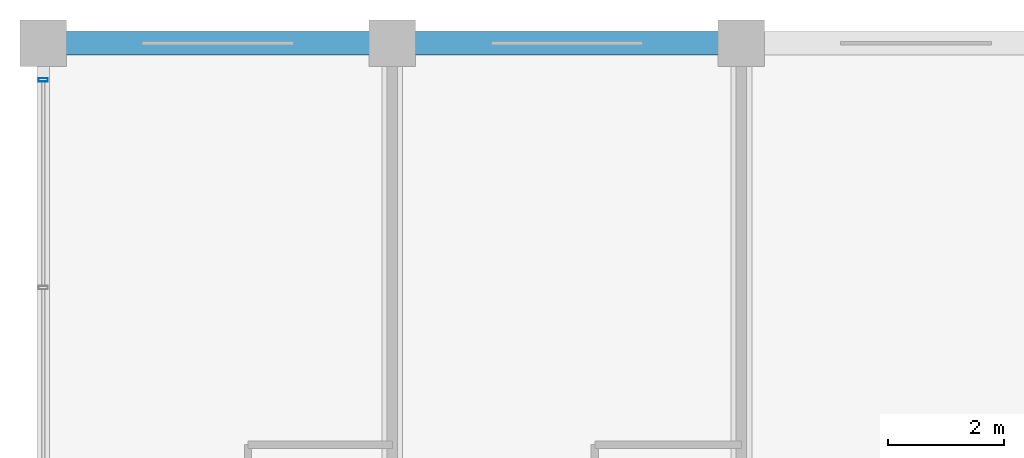
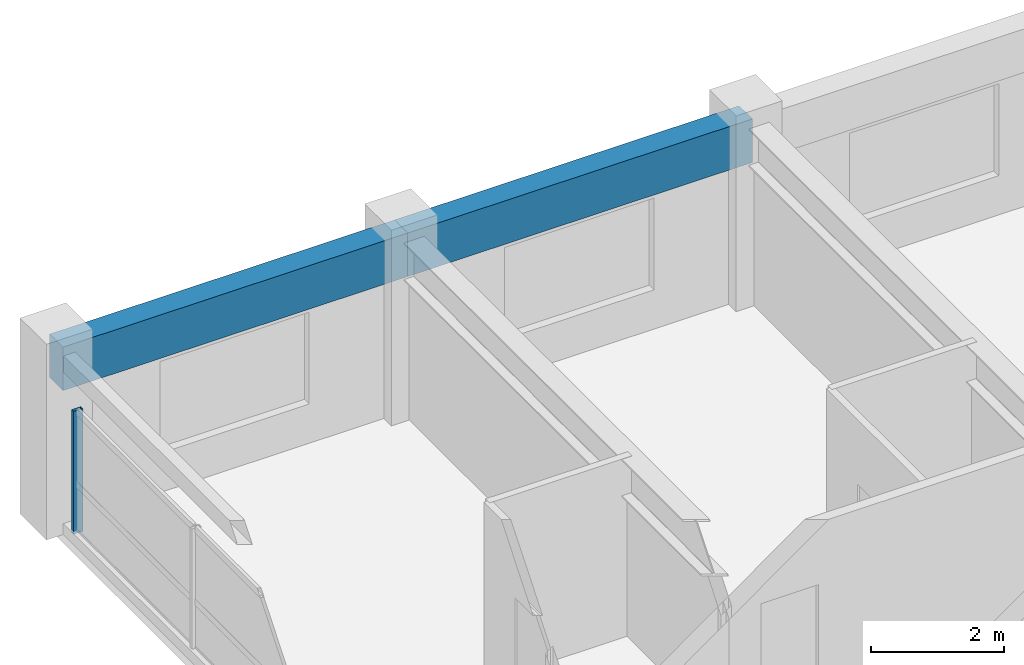
# One storey, part 17 of 27: 2 beams, 1 member, 1 element without a shape of its own.
"""IFC4 building model written with IfcOpenShell, lengths in metres."""

from ifc_helpers import new_model, si_unit, direction, frame, origin, origin_2d, place, context, subcontext, project, spatial, rectangle, hollow_rectangle, extrude, material, material_profile, profile_set, type_object, element, aggregate, save


model = new_model("IFC4")

# Units and contexts
model_context = context("Model", 3, precision=1e-05, world=origin(), true_north=direction((0.0, 1.0)))
body_context = subcontext(model_context, "Body", "Model", "MODEL_VIEW")
ifc_project = project(units=[si_unit("LENGTHUNIT", "METRE"), si_unit("AREAUNIT", "SQUARE_METRE"), si_unit("VOLUMEUNIT", "CUBIC_METRE"), si_unit("PLANEANGLEUNIT", "RADIAN"), si_unit("MASSUNIT", "GRAM", prefix="KILO")], contexts=[model_context])

# Site, building, storey
site_placement = place(None, origin())
site = spatial("IfcSite", under=ifc_project, at=site_placement, CompositionType="ELEMENT")
building_placement = place(site_placement, origin())
building = spatial("IfcBuilding", under=site, at=building_placement, Name="Kaldorvane Square Convention Centre", CompositionType="ELEMENT")
storey_placement = place(building_placement, frame((0.0, 0.0, 38.399993896484375)))
storey = spatial("IfcBuildingStorey", under=building, at=storey_placement, Name="L08", CompositionType="ELEMENT", Elevation=38.399993896484375)

# Beams
ifc_material_1 = material(Name="Concrete f'c = 42 MPa (Normalweight)", Category="concrete")
ifc_material_profile_1 = material_profile(ifc_material_1, rectangle(XDim=0.399993896484375, YDim=0.8000030517578125, at=origin_2d()), Name="RCSP800X400")
ifc_profile_set_1 = profile_set([ifc_material_profile_1], Name="Concrete f'c = 42 MPa (Normalweight)")
beam_type = type_object("IfcBeamType", Name="BM-SP-RC800", PredefinedType="SPANDREL", material=ifc_profile_set_1)
for number, where, z_axis, x_axis, name in (
    (1, (24.0, 117.0, 2.8860015869140625), (1.0, 0.0, 0.0), (0.0, 1.0, 0.0), "Perimeter Spandrel (L08)"),
    (2, (30.0, 117.0, 2.8860015869140625), (1.0, 0.0, 0.0), (0.0, 1.0, 0.0), "Perimeter Spandrel (L08)"),
):
    element("IfcBeam", number, at=place(storey_placement, frame(where, z_axis=z_axis, x_axis=x_axis)), inside=storey, type_object=beam_type, Name=name, PredefinedType="SPANDREL", context=body_context, shape_type="SweptSolid", body=[
        extrude(rectangle(XDim=0.399993896484375, YDim=0.8000030517578125, at=origin_2d()), origin(), (0.0, 0.0, 1.0), 6.0),
    ])

# Curtain wall, member
ifc_material_2 = material(Name="Anodized Aluminum and Low-E Insulated Glazing", Category="aluminium")
curtain_wall_type = type_object("IfcCurtainWallType", Name="CW-UNI-HTL-B", PredefinedType="USERDEFINED", material=ifc_material_2)
curtain_wall_placement = place(storey_placement, origin())
curtain_wall = element("IfcCurtainWall", 3, at=curtain_wall_placement, inside=storey, type_object=curtain_wall_type, Name="Curtain Wall CW-11 (L08)", ObjectType="UNITISED GLAZING", PredefinedType="USERDEFINED")
ifc_material_profile_2 = material_profile(ifc_material_2, hollow_rectangle(XDim=0.05999755859375, YDim=0.160003662109375, WallThickness=0.003204345703125, at=origin_2d()), Name="CWM-160X60")
ifc_profile_set_2 = profile_set([ifc_material_profile_2], Name="Anodized Aluminum and Low-E Insulated Glazing")
member_type = type_object("IfcMemberType", Name="CW-MUL-160", PredefinedType="MULLION", material=ifc_profile_set_2)
member_placement = place(storey_placement, frame((24.0, 116.3699951171875, 0.1500091552734375), z_axis=(0.0, 0.0, 1.0), x_axis=(0.0, -1.0, 0.0)))
member = element("IfcMember", 4, at=member_placement, type_object=member_type, Name="CW-11 mullion 1", PredefinedType="MULLION", context=body_context, shape_type="SweptSolid", body=[
    extrude(hollow_rectangle(XDim=0.05999755859375, YDim=0.160003662109375, WallThickness=0.003204345703125, at=origin_2d()), origin(), (0.0, 0.0, 1.0), 2.2599945068359375),
])
aggregate(curtain_wall, [member])

save(model, "model.ifc")
